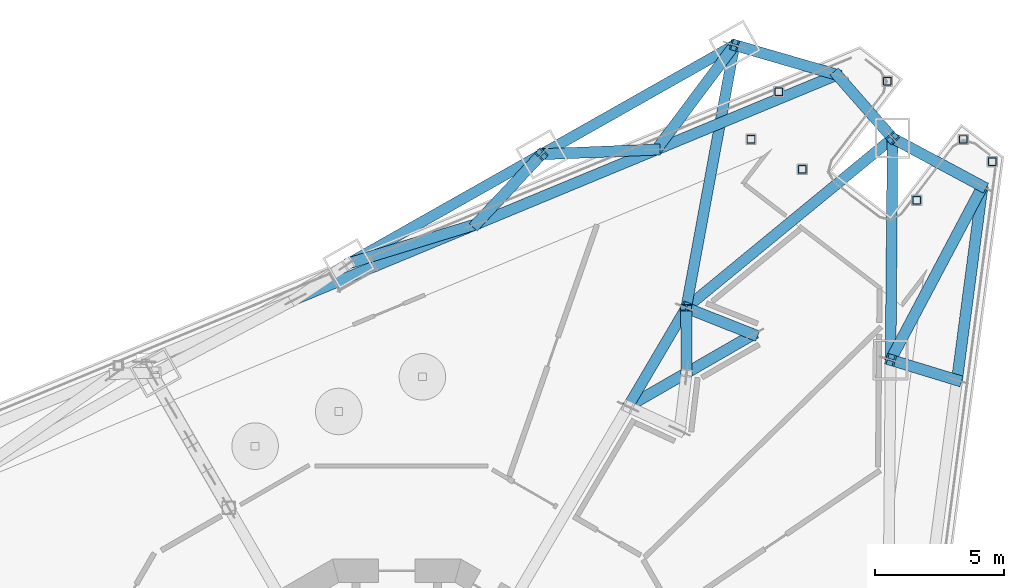
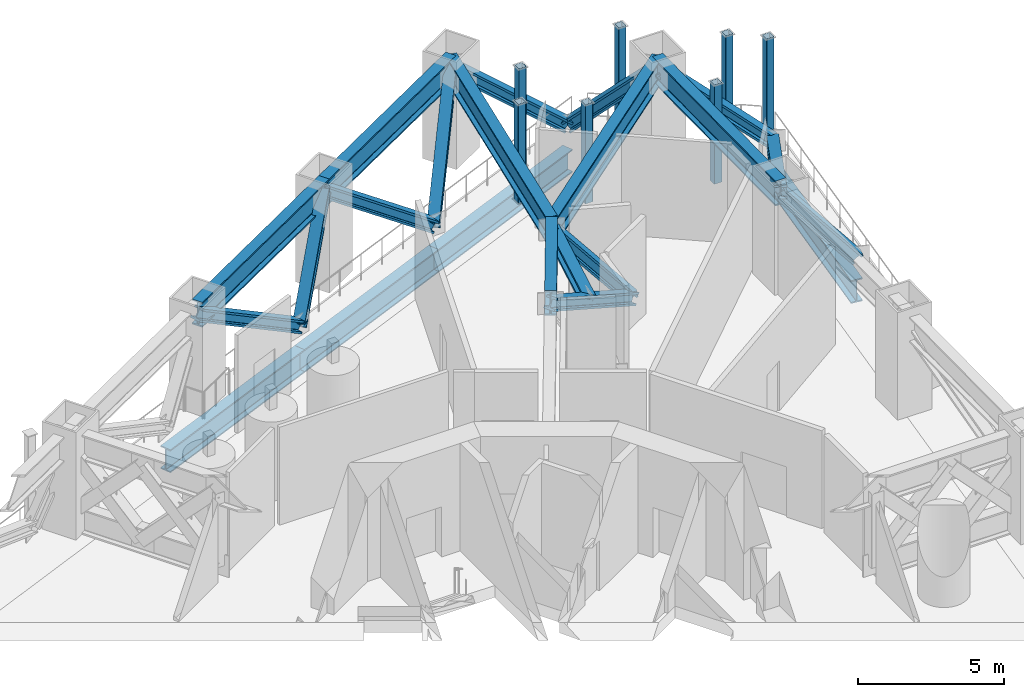
# One storey, part 7 of 23: 26 members, 3 beams.
"""IFC4 building model written with IfcOpenShell, lengths in metres."""

from ifc_helpers import new_model, si_unit, direction, frame, origin, origin_2d, place, context, subcontext, project, spatial, hollow_rectangle, i_section, extrude, material, material_profile, profile_set, type_object, element, save


model = new_model("IFC4")

# Units and contexts
model_context = context("Model", 3, precision=1e-05, world=origin(), true_north=direction((0.0, 1.0)))
body_context = subcontext(model_context, "Body", "Model", "MODEL_VIEW")
ifc_project = project(units=[si_unit("LENGTHUNIT", "METRE"), si_unit("AREAUNIT", "SQUARE_METRE"), si_unit("VOLUMEUNIT", "CUBIC_METRE"), si_unit("PLANEANGLEUNIT", "RADIAN"), si_unit("MASSUNIT", "GRAM", prefix="KILO")], contexts=[model_context])

# Site, building, storey
site_placement = place(None, origin())
site = spatial("IfcSite", under=ifc_project, at=site_placement, CompositionType="ELEMENT")
building_placement = place(site_placement, origin())
building = spatial("IfcBuilding", under=site, at=building_placement, Name="Trine Commons Tower", CompositionType="ELEMENT")
storey_placement = place(building_placement, frame((0.0, 0.0, 156.60009765625)))
storey = spatial("IfcBuildingStorey", under=building, at=storey_placement, Name="L40", CompositionType="ELEMENT", Elevation=156.60009765625)

# Beams
ifc_material_1 = material(Name="Structural steel ASTM A992 Gr50", Category="steel")
ifc_material_profile_1 = material_profile(ifc_material_1, i_section(OverallWidth=0.412841796875, OverallDepth=1.0478515625, WebThickness=0.033935546875, FlangeThickness=0.059814453125, FilletRadius=0.030029296875, at=origin_2d()), Name="W40X431")
ifc_profile_set_1 = profile_set([ifc_material_profile_1], Name="Structural steel ASTM A992 Gr50")
beam_type = type_object("IfcBeamType", Name="Steel beam W40X431, ASTM A992 Gr50", PredefinedType="BEAM", material=ifc_profile_set_1)
beam_1_placement = place(storey_placement, frame((93.052978515625, 91.6435546875, 3.6259765625), z_axis=(-0.180882580686, -0.983504698517, 0.0), x_axis=(0.983504698517, -0.180882580686, 0.0)))
element("IfcBeam", 1, at=beam_1_placement, inside=storey, type_object=beam_type, Name="Transfer truss girder T4-UV-03", PredefinedType="BEAM", context=body_context, shape_type="SweptSolid", body=[
    extrude(i_section(OverallWidth=0.412841796875, OverallDepth=1.0478515625, WebThickness=0.033935546875, FlangeThickness=0.059814453125, FilletRadius=0.030029296875, at=origin_2d()), origin(), (0.0, 0.0, 1.0), 10.325439453125),
])
beam_2_placement = place(storey_placement, frame((99.1611328125, 88.045654296875, 3.6259765625), z_axis=(-0.772462345714, -0.635060567547, 0.0), x_axis=(0.635060567547, -0.772462345714, 0.0)))
element("IfcBeam", 2, at=beam_2_placement, inside=storey, type_object=beam_type, Name="Transfer truss girder T4-UV-04", PredefinedType="BEAM", context=body_context, shape_type="SweptSolid", body=[
    extrude(i_section(OverallWidth=0.412841796875, OverallDepth=1.0478515625, WebThickness=0.033935546875, FlangeThickness=0.059814453125, FilletRadius=0.030029296875, at=origin_2d()), origin(), (0.0, 0.0, 1.0), 10.3251953125),
])
beam_3_placement = place(storey_placement, frame((88.935546875, 77.66943359375, 3.6259765625), z_axis=(0.507561622256, 0.861615459246, 0.0), x_axis=(-0.861615459246, 0.507561622256, 0.0)))
element("IfcBeam", 3, at=beam_3_placement, inside=storey, type_object=beam_type, Name="Transfer truss girder T4-UR-04", PredefinedType="BEAM", context=body_context, shape_type="SweptSolid", body=[
    extrude(i_section(OverallWidth=0.412841796875, OverallDepth=1.0478515625, WebThickness=0.033935546875, FlangeThickness=0.059814453125, FilletRadius=0.030029296875, at=origin_2d()), origin(), (0.0, 0.0, 1.0), 4.432373046875),
])

# Members
ifc_material_profile_2 = material_profile(ifc_material_1, i_section(OverallWidth=0.4287109375, OverallDepth=0.482666015625, WebThickness=0.05126953125, FlangeThickness=0.08154296875, FilletRadius=0.015380859375, at=origin_2d()), Name="W14X455")
ifc_profile_set_2 = profile_set([ifc_material_profile_2], Name="Structural steel ASTM A992 Gr50")
member_type_1 = type_object("IfcMemberType", Name="Steel brace W14X455, ASTM A992 Gr50", PredefinedType="BRACE", material=ifc_profile_set_2)
member_1_placement = place(storey_placement, frame((83.0595703125, 84.715087890625, 0.482421875), z_axis=(-0.816054327263, -0.250552220832, 0.520844429356), x_axis=(0.293506409785, -0.955957105426, 0.0)))
element("IfcMember", 4, at=member_1_placement, inside=storey, type_object=member_type_1, Name="Belt truss brace T4-DG-24", PredefinedType="BRACE", context=body_context, shape_type="SweptSolid", body=[
    extrude(i_section(OverallWidth=0.4287109375, OverallDepth=0.482666015625, WebThickness=0.05126953125, FlangeThickness=0.08154296875, FilletRadius=0.015380859375, at=origin_2d()), origin(), (0.0, 0.0, 1.0), 6.035400390625),
])
member_2_placement = place(storey_placement, frame((83.0595703125, 84.715087890625, 0.482421875), z_axis=(0.521240783084, 0.556994486124, 0.646579607224), x_axis=(-0.730152753227, 0.683283950459, 0.0)))
element("IfcMember", 5, at=member_2_placement, inside=storey, type_object=member_type_1, Name="Belt truss brace T4-DG-25", PredefinedType="BRACE", context=body_context, shape_type="SweptSolid", body=[
    extrude(i_section(OverallWidth=0.4287109375, OverallDepth=0.482666015625, WebThickness=0.05126953125, FlangeThickness=0.08154296875, FilletRadius=0.015380859375, at=origin_2d()), origin(), (0.0, 0.0, 1.0), 4.86181640625),
])
member_3_placement = place(storey_placement, frame((90.03662109375, 87.60498046875, 0.482421875), z_axis=(-0.815870405398, -0.03340056336, 0.577269333988), x_axis=(0.040904301916, -0.999163068815, 0.0)))
element("IfcMember", 6, at=member_3_placement, inside=storey, type_object=member_type_1, Name="Belt truss brace T4-DG-26", PredefinedType="BRACE", context=body_context, shape_type="SweptSolid", body=[
    extrude(i_section(OverallWidth=0.4287109375, OverallDepth=0.482666015625, WebThickness=0.05126953125, FlangeThickness=0.08154296875, FilletRadius=0.015380859375, at=origin_2d()), origin(), (0.0, 0.0, 1.0), 5.445556640625),
])
member_4_placement = place(storey_placement, frame((97.013671875, 90.4951171875, 0.482421875), z_axis=(-0.763822561209, 0.221476997345, 0.606236780998), x_axis=(-0.27848786156, -0.960439748742, 0.0)))
element("IfcMember", 7, at=member_4_placement, inside=storey, type_object=member_type_1, Name="Belt truss brace T4-DG-27", PredefinedType="BRACE", context=body_context, shape_type="SweptSolid", body=[
    extrude(i_section(OverallWidth=0.4287109375, OverallDepth=0.482666015625, WebThickness=0.05126953125, FlangeThickness=0.08154296875, FilletRadius=0.015380859375, at=origin_2d()), origin(), (0.0, 0.0, 1.0), 5.185302734375),
])
member_5_placement = place(storey_placement, frame((90.03662109375, 87.60498046875, 0.482421875), z_axis=(0.507755138759, 0.679828855148, 0.529166747605), x_axis=(-0.801195696399, 0.598402419841, 0.0)))
element("IfcMember", 8, at=member_5_placement, inside=storey, type_object=member_type_1, Name="Belt truss brace T4-DG-28", PredefinedType="BRACE", context=body_context, shape_type="SweptSolid", body=[
    extrude(i_section(OverallWidth=0.4287109375, OverallDepth=0.482666015625, WebThickness=0.05126953125, FlangeThickness=0.08154296875, FilletRadius=0.015380859375, at=origin_2d()), origin(), (0.0, 0.0, 1.0), 5.940673828125),
])
member_6_placement = place(storey_placement, frame((97.013671875, 90.4951171875, 0.482421875), z_axis=(0.474371226331, -0.541083050679, 0.694406992978), x_axis=(0.751940291516, 0.6592312174, 0.0)))
element("IfcMember", 9, at=member_6_placement, inside=storey, type_object=member_type_1, Name="Belt truss brace T4-DG-29", PredefinedType="BRACE", context=body_context, shape_type="SweptSolid", body=[
    extrude(i_section(OverallWidth=0.4287109375, OverallDepth=0.482666015625, WebThickness=0.05126953125, FlangeThickness=0.08154296875, FilletRadius=0.015380859375, at=origin_2d()), origin(), (0.0, 0.0, 1.0), 4.52685546875),
])
member_7_placement = place(storey_placement, frame((102.6376953125, 86.1796875, 0.482421875), z_axis=(-0.689134468284, 0.369877439683, 0.623124677923), x_axis=(-0.472914959466, -0.881108075728, 0.0)))
element("IfcMember", 10, at=member_7_placement, inside=storey, type_object=member_type_1, Name="Belt truss brace T4-DG-30", PredefinedType="BRACE", context=body_context, shape_type="SweptSolid", body=[
    extrude(i_section(OverallWidth=0.4287109375, OverallDepth=0.482666015625, WebThickness=0.05126953125, FlangeThickness=0.08154296875, FilletRadius=0.015380859375, at=origin_2d()), origin(), (0.0, 0.0, 1.0), 5.044921875),
])
member_8_placement = place(storey_placement, frame((101.652099609375, 78.692138671875, 0.482421875), z_axis=(-0.620844183195, 0.189520234056, 0.760680340929), x_axis=(-0.291961871448, -0.956429958555, 0.0)))
element("IfcMember", 11, at=member_8_placement, inside=storey, type_object=member_type_1, Name="Belt truss brace T4-DG-31", PredefinedType="BRACE", context=body_context, shape_type="SweptSolid", body=[
    extrude(i_section(OverallWidth=0.4287109375, OverallDepth=0.482666015625, WebThickness=0.05126953125, FlangeThickness=0.08154296875, FilletRadius=0.015380859375, at=origin_2d()), origin(), (0.0, 0.0, 1.0), 4.132568359375),
])
member_9_placement = place(storey_placement, frame((102.6376953125, 86.1796875, 0.482421875), z_axis=(-0.432433541262, -0.816379587282, 0.382786627066), x_axis=(0.88368378914, -0.468084352239, 0.0)))
element("IfcMember", 12, at=member_9_placement, inside=storey, type_object=member_type_1, Name="Belt truss brace T4-DG-32", PredefinedType="BRACE", context=body_context, shape_type="SweptSolid", body=[
    extrude(i_section(OverallWidth=0.4287109375, OverallDepth=0.482666015625, WebThickness=0.05126953125, FlangeThickness=0.08154296875, FilletRadius=0.015380859375, at=origin_2d()), origin(), (0.0, 0.0, 1.0), 8.21240234375),
])
member_10_placement = place(storey_placement, frame((93.7802734375, 80.458984375, 0.482421875), z_axis=(-0.755377458155, -0.43493967128, 0.490135061037), x_axis=(0.49898631039, -0.866609867266, 0.0)))
element("IfcMember", 13, at=member_10_placement, inside=storey, type_object=member_type_1, Name="Belt truss brace T4-DG-48", PredefinedType="BRACE", context=body_context, shape_type="SweptSolid", body=[
    extrude(i_section(OverallWidth=0.4287109375, OverallDepth=0.482666015625, WebThickness=0.05126953125, FlangeThickness=0.08154296875, FilletRadius=0.015380859375, at=origin_2d()), origin(), (0.0, 0.0, 1.0), 6.41357421875),
])
member_11_placement = place(storey_placement, frame((93.7802734375, 80.458984375, 0.482421875), z_axis=(-0.617224796619, 0.244880700663, 0.747707825879), x_axis=(-0.368780759241, -0.929516407393, 0.0)))
element("IfcMember", 14, at=member_11_placement, inside=storey, type_object=member_type_1, Name="Belt truss brace T4-DG-49", PredefinedType="BRACE", context=body_context, shape_type="SweptSolid", body=[
    extrude(i_section(OverallWidth=0.4287109375, OverallDepth=0.482666015625, WebThickness=0.05126953125, FlangeThickness=0.08154296875, FilletRadius=0.015380859375, at=origin_2d()), origin(), (0.0, 0.0, 1.0), 4.204345703125),
])
member_12_placement = place(storey_placement, frame((91.198486328125, 78.972412109375, 2.15771484375), z_axis=(-0.004525452641, 0.863691017007, 0.504001336724), x_axis=(-0.999986273232, -0.00523959429, 0.0)))
element("IfcMember", 15, at=member_12_placement, inside=storey, type_object=member_type_1, Name="Belt truss brace T4-DG-50b", PredefinedType="BRACE", context=body_context, shape_type="SweptSolid", body=[
    extrude(i_section(OverallWidth=0.4287109375, OverallDepth=0.482666015625, WebThickness=0.05126953125, FlangeThickness=0.08154296875, FilletRadius=0.015380859375, at=origin_2d()), origin(), (0.0, 0.0, 1.0), 2.913330078125),
])
ifc_material_profile_3 = material_profile(ifc_material_1, i_section(OverallWidth=0.42529296875, OverallDepth=0.965087890625, WebThickness=0.0283203125, FlangeThickness=0.051025390625, FilletRadius=0.024169921875, at=origin_2d()), Name="W36X361")
ifc_profile_set_3 = profile_set([ifc_material_profile_3], Name="Structural steel ASTM A992 Gr50")
member_type_2 = type_object("IfcMemberType", Name="Steel chord W36X361, ASTM A992 Gr50", PredefinedType="CHORD", material=ifc_profile_set_3)
for number, where, z_axis, x_axis, name in (
    (16, (76.08251953125, 81.8251953125, -0.9326171875), (0.923884049359, 0.382672527548, 0.0), (-0.382672527548, 0.923884049359, 0.0), "Belt truss chord T4-LC-12"),
    (17, (83.0595703125, 84.715087890625, -0.9326171875), (0.923884049359, 0.382672527548, 0.0), (-0.382672527548, 0.923884049359, 0.0), "Belt truss chord T4-LC-13"),
):
    element("IfcMember", number, at=place(storey_placement, frame(where, z_axis=z_axis, x_axis=x_axis)), inside=storey, type_object=member_type_2, Name=name, PredefinedType="CHORD", context=body_context, shape_type="SweptSolid", body=[
        extrude(i_section(OverallWidth=0.42529296875, OverallDepth=0.965087890625, WebThickness=0.0283203125, FlangeThickness=0.051025390625, FilletRadius=0.024169921875, at=origin_2d()), origin(), (0.0, 0.0, 1.0), 7.5517578125),
    ])
member_13_placement = place(storey_placement, frame((90.03662109375, 87.60498046875, -0.9326171875), z_axis=(0.923872619505, 0.382700121412, 0.0), x_axis=(-0.382700121412, 0.923872619505, 0.0)))
element("IfcMember", 18, at=member_13_placement, inside=storey, type_object=member_type_2, Name="Belt truss chord T4-LC-14", PredefinedType="CHORD", context=body_context, shape_type="SweptSolid", body=[
    extrude(i_section(OverallWidth=0.42529296875, OverallDepth=0.965087890625, WebThickness=0.0283203125, FlangeThickness=0.051025390625, FilletRadius=0.024169921875, at=origin_2d()), origin(), (0.0, 0.0, 1.0), 7.552001953125),
])
member_14_placement = place(storey_placement, frame((102.6376953125, 86.1796875, -0.9326171875), z_axis=(-0.130505523157, -0.991447582288, 0.0), x_axis=(0.991447582288, -0.130505523157, 0.0)))
element("IfcMember", 19, at=member_14_placement, inside=storey, type_object=member_type_2, Name="Belt truss chord T4-LC-15", PredefinedType="CHORD", context=body_context, shape_type="SweptSolid", body=[
    extrude(i_section(OverallWidth=0.42529296875, OverallDepth=0.965087890625, WebThickness=0.0283203125, FlangeThickness=0.051025390625, FilletRadius=0.024169921875, at=origin_2d()), origin(), (0.0, 0.0, 1.0), 7.55224609375),
])
ifc_material_profile_4 = material_profile(ifc_material_1, i_section(OverallWidth=0.412841796875, OverallDepth=1.0478515625, WebThickness=0.033935546875, FlangeThickness=0.059814453125, FilletRadius=0.030029296875, at=origin_2d()), Name="W40X431")
ifc_profile_set_4 = profile_set([ifc_material_profile_4], Name="Structural steel ASTM A992 Gr50")
member_type_3 = type_object("IfcMemberType", Name="Steel chord W40X431, ASTM A992 Gr50", PredefinedType="CHORD", material=ifc_profile_set_4)
for number, where, z_axis, x_axis, name in (
    (20, (78.13427734375, 83.202880859375, 3.6259765625), (0.87036328309, 0.49241014962, 0.0), (-0.49241014962, 0.87036328309, 0.0), "Belt truss chord T4-UC-11"),
    (21, (85.59375, 87.423095703125, 3.6259765625), (0.870344166839, 0.492443937163, 0.0), (-0.492443937163, 0.870344166839, 0.0), "Belt truss chord T4-UC-12"),
    (22, (99.1611328125, 88.045654296875, 3.6259765625), (-0.008716624171, -0.99996200951, 0.0), (0.99996200951, -0.008716624171, 0.0), "Belt truss chord T4-UC-13"),
):
    element("IfcMember", number, at=place(storey_placement, frame(where, z_axis=z_axis, x_axis=x_axis)), inside=storey, type_object=member_type_3, Name=name, PredefinedType="CHORD", context=body_context, shape_type="SweptSolid", body=[
        extrude(i_section(OverallWidth=0.412841796875, OverallDepth=1.0478515625, WebThickness=0.033935546875, FlangeThickness=0.059814453125, FilletRadius=0.030029296875, at=origin_2d()), origin(), (0.0, 0.0, 1.0), 8.570556640625),
    ])
ifc_material_2 = material(Name="Structural steel ASTM A500 Gr C", Category="steel")
ifc_material_profile_5 = material_profile(ifc_material_2, hollow_rectangle(XDim=0.3046875, YDim=0.3046875, WallThickness=0.014892578125, InnerFilletRadius=0.00732421875, OuterFilletRadius=0.022216796875, at=origin_2d()), Name="HSS12X12X5/8")
ifc_profile_set_5 = profile_set([ifc_material_profile_5], Name="Structural steel ASTM A500 Gr C")
member_type_4 = type_object("IfcMemberType", Name="Steel post HSS12X12X5/8, ASTM A500 Gr C", PredefinedType="POST", material=ifc_profile_set_5)
for number, where, z_axis, x_axis, name in (
    (23, (98.960205078125, 90.248291015625, 0.0), (0.0, 0.0, 1.0), (1.0, 0.0, 0.0), "Roof post SP4-51"),
    (24, (93.689697265625, 88.00634765625, 0.0), (0.0, 0.0, 1.0), (1.0, 0.0, 0.0), "Roof post SP4-52"),
    (25, (95.67138671875, 86.839111328125, 0.0), (0.0, 0.0, 1.0), (1.0, 0.0, 0.0), "Roof post SP4-53"),
    (26, (94.766845703125, 89.8349609375, 0.0), (0.0, 0.0, 1.0), (1.0, 0.0, 0.0), "Roof post SP4-54"),
    (27, (101.8955078125, 87.995849609375, 0.0), (0.0, 0.0, 1.0), (1.0, 0.0, 0.0), "Roof post SP4-61"),
    (28, (103.015869140625, 87.13623046875, 0.0), (0.0, 0.0, 1.0), (1.0, 0.0, 0.0), "Roof post SP4-62"),
    (29, (100.09033203125, 85.643310546875, 0.0), (0.0, 0.0, 1.0), (1.0, 0.0, 0.0), "Roof post SP4-64"),
):
    element("IfcMember", number, at=place(storey_placement, frame(where, z_axis=z_axis, x_axis=x_axis)), inside=storey, type_object=member_type_4, Name=name, PredefinedType="POST", context=body_context, shape_type="SweptSolid", body=[
        extrude(hollow_rectangle(XDim=0.3046875, YDim=0.3046875, WallThickness=0.014892578125, InnerFilletRadius=0.00732421875, OuterFilletRadius=0.022216796875, at=origin_2d()), origin(), (0.0, 0.0, 1.0), 4.14990234375),
    ])

save(model, "model.ifc")
